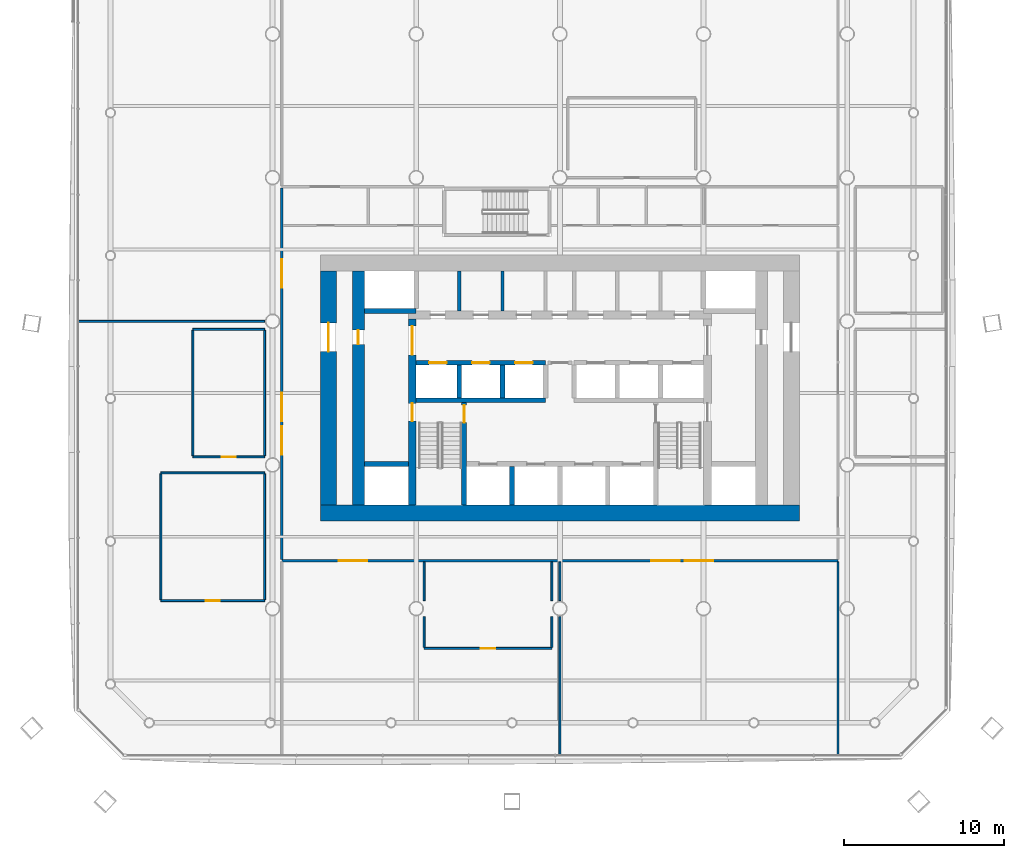
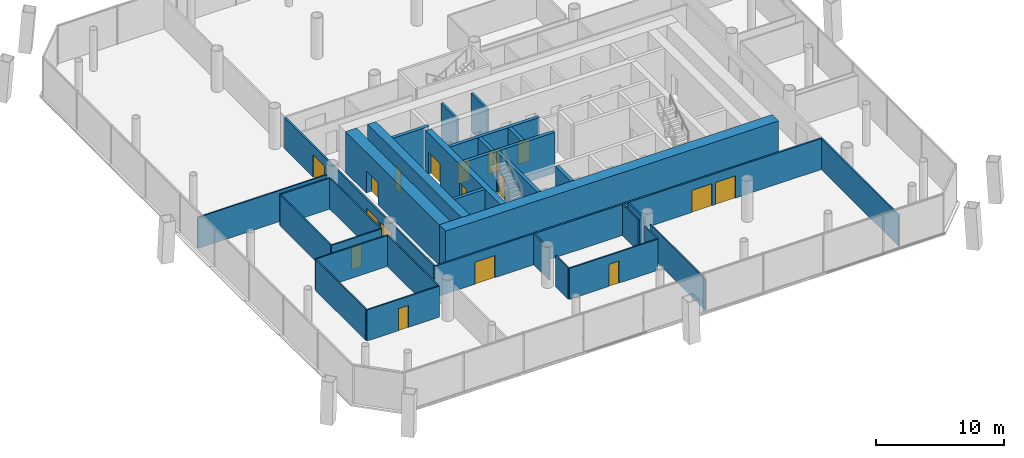
# One storey, part 14 of 22: 33 walls, 17 doors, 17 openings.
"""IFC4 building model written with IfcOpenShell, lengths in metres."""

from ifc_helpers import new_model, si_unit, direction, frame, frame_2d, origin, place, context, subcontext, project, spatial, rectangle, extrude, material, layer, layer_set, type_object, element, fill, save


model = new_model("IFC4")

# Units and contexts
model_context = context("Model", 3, precision=1e-05, world=origin(), true_north=direction((0.0, 1.0)))
body_context = subcontext(model_context, "Body", "Model", "MODEL_VIEW")
ifc_project = project(units=[si_unit("LENGTHUNIT", "METRE"), si_unit("AREAUNIT", "SQUARE_METRE"), si_unit("VOLUMEUNIT", "CUBIC_METRE"), si_unit("PLANEANGLEUNIT", "RADIAN"), si_unit("MASSUNIT", "GRAM", prefix="KILO")], contexts=[model_context])

# Site, building, storey
site_placement = place(None, origin())
site = spatial("IfcSite", under=ifc_project, at=site_placement, CompositionType="ELEMENT")
building_placement = place(site_placement, origin())
building = spatial("IfcBuilding", under=site, at=building_placement, Name="Tskaro Facet Tower", CompositionType="ELEMENT")
storey_placement = place(building_placement, frame((0.0, 0.0, 26.39990234375)))
storey = spatial("IfcBuildingStorey", under=building, at=storey_placement, Name="L05", CompositionType="ELEMENT", Elevation=26.39990234375)

# Walls
ifc_material_1 = material(Name="Concrete C60/75", Category="concrete")
ifc_layer_1 = layer(ifc_material_1, 0.300048828125, Name="Concrete C60/75")
ifc_layer_set_1 = layer_set([ifc_layer_1], Name="Concrete C60/75")
wall_type_1 = type_object("IfcWallType", Name="CORE-SHAFT", PredefinedType="SHEAR", material=ifc_layer_set_1)
wall_1_placement = place(storey_placement, frame((-12.25, -8.949951171875, 0.0), z_axis=(0.0, 0.0, 1.0), x_axis=(1.0, 0.0, 0.0)))
element("IfcWall", 1, at=wall_1_placement, inside=storey, type_object=wall_type_1, Name="Shaft wall W006", PredefinedType="SHEAR", context=body_context, shape_type="SweptSolid", body=[
    extrude(rectangle(XDim=2.75, YDim=0.300048828125, at=frame_2d((1.375, 0.0))), origin(), (0.0, 0.0, 1.0), 3.900146484375),
])
wall_2_placement = place(storey_placement, frame((-9.0, -4.949951171875, 0.0), z_axis=(0.0, 0.0, 1.0), x_axis=(1.0, 0.0, 0.0)))
element("IfcWall", 2, at=wall_2_placement, inside=storey, type_object=wall_type_1, Name="Shaft wall W011", PredefinedType="SHEAR", context=body_context, shape_type="SweptSolid", body=[
    extrude(rectangle(XDim=8.10009765625, YDim=0.300048828125, at=frame_2d((4.050048828125, 0.0))), origin(), (0.0, 0.0, 1.0), 3.900146484375),
])

# Wall, openings, doors
wall_3_placement = place(storey_placement, frame((-9.0, -2.60009765625, 0.0), z_axis=(0.0, 0.0, 1.0), x_axis=(1.0, 0.0, 0.0)))
wall_3 = element("IfcWall", 3, at=wall_3_placement, inside=storey, type_object=wall_type_1, Name="Shaft wall W013", PredefinedType="SHEAR", context=body_context, shape_type="SweptSolid", body=[
    extrude(rectangle(XDim=8.10009765625, YDim=0.300048828125, at=frame_2d((4.050048828125, 0.0))), origin(), (0.0, 0.0, 1.0), 3.900146484375),
])
opening_1_placement = place(wall_3_placement, frame((0.800048828125, 0.0, 0.0)))
opening_1 = element("IfcOpeningElement", 4, at=opening_1_placement, cuts=wall_3, Name="Opening LD-LR1", PredefinedType="OPENING", context=body_context, shape_type="SweptSolid", body=[
    extrude(rectangle(XDim=1.10009765625, YDim=2.10009765625, at=frame_2d((0.550048828125, 1.050048828125))), frame((0.0, 0.159912109375, 0.0), z_axis=(0.0, -1.0, 0.0), x_axis=(1.0, 0.0, 0.0)), (0.0, 0.0, 1.0), 0.320068359375),
])
opening_2_placement = place(wall_3_placement, frame((3.5, 0.0, 0.0)))
opening_2 = element("IfcOpeningElement", 5, at=opening_2_placement, cuts=wall_3, Name="Opening LD-LR2", PredefinedType="OPENING", context=body_context, shape_type="SweptSolid", body=[
    extrude(rectangle(XDim=1.10009765625, YDim=2.10009765625, at=frame_2d((0.550048828125, 1.050048828125))), frame((0.0, 0.159912109375, 0.0), z_axis=(0.0, -1.0, 0.0), x_axis=(1.0, 0.0, 0.0)), (0.0, 0.0, 1.0), 0.320068359375),
])
opening_3_placement = place(wall_3_placement, frame((6.199951171875, 0.0, 0.0)))
opening_3 = element("IfcOpeningElement", 6, at=opening_3_placement, cuts=wall_3, Name="Opening LD-LR3", PredefinedType="OPENING", context=body_context, shape_type="SweptSolid", body=[
    extrude(rectangle(XDim=1.10009765625, YDim=2.10009765625, at=frame_2d((0.550048828125, 1.050048828125))), frame((0.0, 0.159912109375, 0.0), z_axis=(0.0, -1.0, 0.0), x_axis=(1.0, 0.0, 0.0)), (0.0, 0.0, 1.0), 0.320068359375),
])
ifc_material_2 = material(Name="Stainless steel", Category="steel")
door_type_1 = type_object("IfcDoorType", Name="D-LANDING", OperationType="NOTDEFINED", PredefinedType="DOOR", material=ifc_material_2)
door_1_placement = place(opening_1_placement, origin())
door_1 = element("IfcDoor", 7, at=door_1_placement, inside=storey, type_object=door_type_1, Name="Landing door LR1", OperationType="DOUBLE_DOOR_SLIDING", OverallHeight=2.10009765625, OverallWidth=1.10009765625, PredefinedType="DOOR", context=body_context, shape_type="SweptSolid", body=[
    extrude(rectangle(XDim=1.10009765625, YDim=2.10009765625, at=frame_2d((0.550048828125, 1.050048828125))), frame((0.0, 0.02490234375, 0.0), z_axis=(0.0, -1.0, 0.0), x_axis=(1.0, 0.0, 0.0)), (0.0, 0.0, 1.0), 0.050048828125),
])
fill(opening_1, door_1)
door_2_placement = place(opening_2_placement, origin())
door_2 = element("IfcDoor", 8, at=door_2_placement, inside=storey, type_object=door_type_1, Name="Landing door LR2", OperationType="DOUBLE_DOOR_SLIDING", OverallHeight=2.10009765625, OverallWidth=1.10009765625, PredefinedType="DOOR", context=body_context, shape_type="SweptSolid", body=[
    extrude(rectangle(XDim=1.10009765625, YDim=2.10009765625, at=frame_2d((0.550048828125, 1.050048828125))), frame((0.0, 0.02490234375, 0.0), z_axis=(0.0, -1.0, 0.0), x_axis=(1.0, 0.0, 0.0)), (0.0, 0.0, 1.0), 0.050048828125),
])
fill(opening_2, door_2)
door_3_placement = place(opening_3_placement, origin())
door_3 = element("IfcDoor", 9, at=door_3_placement, inside=storey, type_object=door_type_1, Name="Landing door LR3", OperationType="DOUBLE_DOOR_SLIDING", OverallHeight=2.10009765625, OverallWidth=1.10009765625, PredefinedType="DOOR", context=body_context, shape_type="SweptSolid", body=[
    extrude(rectangle(XDim=1.10009765625, YDim=2.10009765625, at=frame_2d((0.550048828125, 1.050048828125))), frame((0.0, 0.02490234375, 0.0), z_axis=(0.0, -1.0, 0.0), x_axis=(1.0, 0.0, 0.0)), (0.0, 0.0, 1.0), 0.050048828125),
])
fill(opening_3, door_3)

# Walls
wall_4_placement = place(storey_placement, frame((-9.0, 0.64990234375, 0.0), z_axis=(0.0, 0.0, 1.0), x_axis=(-1.0, 0.0, 0.0)))
element("IfcWall", 10, at=wall_4_placement, inside=storey, type_object=wall_type_1, Name="Shaft wall W020", PredefinedType="SHEAR", context=body_context, shape_type="SweptSolid", body=[
    extrude(rectangle(XDim=3.25, YDim=0.300048828125, at=frame_2d((1.625, 0.0))), origin(), (0.0, 0.0, 1.0), 3.900146484375),
])
wall_5_placement = place(storey_placement, frame((-6.300048828125, -4.800048828125, 0.0), z_axis=(0.0, 0.0, 1.0), x_axis=(0.0, 1.0, 0.0)))
element("IfcWall", 11, at=wall_5_placement, inside=storey, type_object=wall_type_1, Name="Shaft wall W044", PredefinedType="SHEAR", context=body_context, shape_type="SweptSolid", body=[
    extrude(rectangle(XDim=2.050048828125, YDim=0.300048828125, at=frame_2d((1.02490234375, 0.0))), origin(), (0.0, 0.0, 1.0), 3.900146484375),
])

# Wall, opening, door
wall_6_placement = place(storey_placement, frame((-6.0, -11.5, 0.0), z_axis=(0.0, 0.0, 1.0), x_axis=(0.0, 1.0, 0.0)))
wall_6 = element("IfcWall", 12, at=wall_6_placement, inside=storey, type_object=wall_type_1, Name="Shaft wall W046", PredefinedType="SHEAR", context=body_context, shape_type="SweptSolid", body=[
    extrude(rectangle(XDim=6.39990234375, YDim=0.300048828125, at=frame_2d((3.199951171875, 0.0))), origin(), (0.0, 0.0, 1.0), 3.900146484375),
])
opening_4_placement = place(wall_6_placement, frame((5.14990234375, 0.0, 0.0)))
opening_4 = element("IfcOpeningElement", 13, at=opening_4_placement, cuts=wall_6, Name="Opening ST-1-D1", PredefinedType="OPENING", context=body_context, shape_type="SweptSolid", body=[
    extrude(rectangle(XDim=1.10009765625, YDim=2.10009765625, at=frame_2d((0.550048828125, 1.050048828125))), frame((0.0, 0.159912109375, 0.0), z_axis=(0.0, -1.0, 0.0), x_axis=(1.0, 0.0, 0.0)), (0.0, 0.0, 1.0), 0.320068359375),
])
ifc_material_3 = material(Name="Steel", Category="steel")
door_type_2 = type_object("IfcDoorType", Name="D-STAIR", OperationType="NOTDEFINED", PredefinedType="DOOR", material=ifc_material_3)
door_4_placement = place(opening_4_placement, origin())
door_4 = element("IfcDoor", 14, at=door_4_placement, inside=storey, type_object=door_type_2, Name="Stair door 1", OperationType="SINGLE_SWING_LEFT", OverallHeight=2.10009765625, OverallWidth=1.10009765625, PredefinedType="DOOR", context=body_context, shape_type="SweptSolid", body=[
    extrude(rectangle(XDim=1.10009765625, YDim=2.10009765625, at=frame_2d((0.550048828125, 1.050048828125))), frame((0.0, 0.02490234375, 0.0), z_axis=(0.0, -1.0, 0.0), x_axis=(1.0, 0.0, 0.0)), (0.0, 0.0, 1.0), 0.050048828125),
])
fill(opening_4, door_4)

# Walls
wall_7_placement = place(storey_placement, frame((-3.60009765625, -4.800048828125, 0.0), z_axis=(0.0, 0.0, 1.0), x_axis=(0.0, 1.0, 0.0)))
element("IfcWall", 15, at=wall_7_placement, inside=storey, type_object=wall_type_1, Name="Shaft wall W047", PredefinedType="SHEAR", context=body_context, shape_type="SweptSolid", body=[
    extrude(rectangle(XDim=2.050048828125, YDim=0.300048828125, at=frame_2d((1.02490234375, 0.0))), origin(), (0.0, 0.0, 1.0), 3.900146484375),
])
wall_8_placement = place(storey_placement, frame((-3.0, -11.5, 0.0), z_axis=(0.0, 0.0, 1.0), x_axis=(0.0, 1.0, 0.0)))
element("IfcWall", 16, at=wall_8_placement, inside=storey, type_object=wall_type_1, Name="Shaft wall W049", PredefinedType="SHEAR", context=body_context, shape_type="SweptSolid", body=[
    extrude(rectangle(XDim=2.39990234375, YDim=0.300048828125, at=frame_2d((1.199951171875, 0.0))), origin(), (0.0, 0.0, 1.0), 3.900146484375),
])
ifc_material_4 = material(Name="Concrete C20/25", Category="concrete")
ifc_layer_2 = layer(ifc_material_4, 0.199951171875, Name="Concrete C20/25")
ifc_layer_set_2 = layer_set([ifc_layer_2], Name="Concrete C20/25")
wall_type_2 = type_object("IfcWallType", Name="CORE-WALL", PredefinedType="SOLIDWALL", material=ifc_layer_set_2)
for number, where, z_axis, x_axis, name in (
    (17, (-6.300048828125, 0.64990234375, 0.0), (0.0, 0.0, 1.0), (0.0, 1.0, 0.0), "Core room wall W045"),
    (18, (-3.60009765625, 0.64990234375, 0.0), (0.0, 0.0, 1.0), (0.0, 1.0, 0.0), "Core room wall W048"),
):
    element("IfcWall", number, at=place(storey_placement, frame(where, z_axis=z_axis, x_axis=x_axis)), inside=storey, type_object=wall_type_2, Name=name, PredefinedType="SOLIDWALL", context=body_context, shape_type="SweptSolid", body=[
        extrude(rectangle(XDim=2.5, YDim=0.199951171875, at=frame_2d((1.25, 0.0))), origin(), (0.0, 0.0, 1.0), 3.60009765625),
    ])
ifc_layer_3 = layer(ifc_material_1, 1.0, Name="Concrete C60/75")
ifc_layer_set_3 = layer_set([ifc_layer_3], Name="Concrete C60/75")
wall_type_3 = type_object("IfcWallType", Name="Core wall 1000", PredefinedType="SHEAR", material=ifc_layer_set_3)
wall_9_placement = place(storey_placement, frame((-15.0, -12.0, 0.0), z_axis=(0.0, 0.0, 1.0), x_axis=(1.0, 0.0, 0.0)))
element("IfcWall", 19, at=wall_9_placement, inside=storey, type_object=wall_type_3, Name="Core wall CW-Z1S", PredefinedType="SHEAR", context=body_context, shape_type="SweptSolid", body=[
    extrude(rectangle(XDim=30.0, YDim=1.0, at=frame_2d((15.0, 0.0))), origin(), (0.0, 0.0, 1.0), 3.900146484375),
])

# Wall, opening, door
wall_10_placement = place(storey_placement, frame((-14.5, -11.5, 0.0), z_axis=(0.0, 0.0, 1.0), x_axis=(0.0, 1.0, 0.0)))
wall_10 = element("IfcWall", 20, at=wall_10_placement, inside=storey, type_object=wall_type_3, Name="Core wall CW-Z1W", PredefinedType="SHEAR", context=body_context, shape_type="SweptSolid", body=[
    extrude(rectangle(XDim=14.64990234375, YDim=1.0, at=frame_2d((7.324951171875, 0.0))), origin(), (0.0, 0.0, 1.0), 3.900146484375),
])
opening_5_placement = place(wall_10_placement, frame((9.60009765625, 0.0, 0.0)))
opening_5 = element("IfcOpeningElement", 21, at=opening_5_placement, cuts=wall_10, Name="Opening T1-D17", PredefinedType="OPENING", context=body_context, shape_type="SweptSolid", body=[
    extrude(rectangle(XDim=1.800048828125, YDim=2.10009765625, at=frame_2d((0.89990234375, 1.050048828125))), frame((0.0, 0.510009765625, 0.0), z_axis=(0.0, -1.0, 0.0), x_axis=(1.0, 0.0, 0.0)), (0.0, 0.0, 1.0), 1.02001953125),
])
door_type_3 = type_object("IfcDoorType", Name="D-CORE-PAIR", OperationType="NOTDEFINED", PredefinedType="DOOR", material=ifc_material_3)
door_5_placement = place(opening_5_placement, origin())
door_5 = element("IfcDoor", 22, at=door_5_placement, inside=storey, type_object=door_type_3, Name="Door T1-D17", OperationType="DOUBLE_DOOR_SINGLE_SWING", OverallHeight=2.10009765625, OverallWidth=1.800048828125, PredefinedType="DOOR", context=body_context, shape_type="SweptSolid", body=[
    extrude(rectangle(XDim=1.800048828125, YDim=2.10009765625, at=frame_2d((0.89990234375, 1.050048828125))), frame((0.0, 0.02490234375, 0.0), z_axis=(0.0, -1.0, 0.0), x_axis=(1.0, 0.0, 0.0)), (0.0, 0.0, 1.0), 0.050048828125),
])
fill(opening_5, door_5)

# Wall, openings, doors
ifc_material_5 = material(Name="Concrete C40/50", Category="concrete")
ifc_layer_4 = layer(ifc_material_5, 0.5, Name="Concrete C40/50")
ifc_layer_set_4 = layer_set([ifc_layer_4], Name="Concrete C40/50")
wall_type_4 = type_object("IfcWallType", Name="Core wall 500", PredefinedType="SHEAR", material=ifc_layer_set_4)
wall_11_placement = place(storey_placement, frame((-9.25, -11.5, 0.0), z_axis=(0.0, 0.0, 1.0), x_axis=(0.0, 1.0, 0.0)))
wall_11 = element("IfcWall", 23, at=wall_11_placement, inside=storey, type_object=wall_type_4, Name="Core wall CW-Z3W", PredefinedType="SHEAR", context=body_context, shape_type="SweptSolid", body=[
    extrude(rectangle(XDim=11.64990234375, YDim=0.5, at=frame_2d((5.824951171875, 0.0))), origin(), (0.0, 0.0, 1.0), 3.900146484375),
])
opening_6_placement = place(wall_11_placement, frame((9.39990234375, 0.0, 0.0)))
opening_6 = element("IfcOpeningElement", 24, at=opening_6_placement, cuts=wall_11, Name="Opening T1-D15", PredefinedType="OPENING", context=body_context, shape_type="SweptSolid", body=[
    extrude(rectangle(XDim=1.800048828125, YDim=2.10009765625, at=frame_2d((0.89990234375, 1.050048828125))), frame((0.0, 0.260009765625, 0.0), z_axis=(0.0, -1.0, 0.0), x_axis=(1.0, 0.0, 0.0)), (0.0, 0.0, 1.0), 0.52001953125),
])
opening_7_placement = place(wall_11_placement, frame((5.25, 0.0, 0.0)))
opening_7 = element("IfcOpeningElement", 25, at=opening_7_placement, cuts=wall_11, Name="Opening ST-1-D2", PredefinedType="OPENING", context=body_context, shape_type="SweptSolid", body=[
    extrude(rectangle(XDim=1.10009765625, YDim=2.10009765625, at=frame_2d((0.550048828125, 1.050048828125))), frame((0.0, 0.260009765625, 0.0), z_axis=(0.0, -1.0, 0.0), x_axis=(1.0, 0.0, 0.0)), (0.0, 0.0, 1.0), 0.52001953125),
])
door_6_placement = place(opening_6_placement, origin())
door_6 = element("IfcDoor", 26, at=door_6_placement, inside=storey, type_object=door_type_3, Name="Door T1-D15", OperationType="DOUBLE_DOOR_SINGLE_SWING", OverallHeight=2.10009765625, OverallWidth=1.800048828125, PredefinedType="DOOR", context=body_context, shape_type="SweptSolid", body=[
    extrude(rectangle(XDim=1.800048828125, YDim=2.10009765625, at=frame_2d((0.89990234375, 1.050048828125))), frame((0.0, 0.02490234375, 0.0), z_axis=(0.0, -1.0, 0.0), x_axis=(1.0, 0.0, 0.0)), (0.0, 0.0, 1.0), 0.050048828125),
])
fill(opening_6, door_6)
door_7_placement = place(opening_7_placement, origin())
door_7 = element("IfcDoor", 27, at=door_7_placement, inside=storey, type_object=door_type_2, Name="Stair door 1 west", OperationType="SINGLE_SWING_LEFT", OverallHeight=2.10009765625, OverallWidth=1.10009765625, PredefinedType="DOOR", context=body_context, shape_type="SweptSolid", body=[
    extrude(rectangle(XDim=1.10009765625, YDim=2.10009765625, at=frame_2d((0.550048828125, 1.050048828125))), frame((0.0, 0.02490234375, 0.0), z_axis=(0.0, -1.0, 0.0), x_axis=(1.0, 0.0, 0.0)), (0.0, 0.0, 1.0), 0.050048828125),
])
fill(opening_7, door_7)

# Wall, opening, door
ifc_material_6 = material(Name="Concrete C50/60", Category="concrete")
ifc_layer_5 = layer(ifc_material_6, 0.75, Name="Concrete C50/60")
ifc_layer_set_5 = layer_set([ifc_layer_5], Name="Concrete C50/60")
wall_type_5 = type_object("IfcWallType", Name="Core wall 750", PredefinedType="SHEAR", material=ifc_layer_set_5)
wall_12_placement = place(storey_placement, frame((-12.625, -11.5, 0.0), z_axis=(0.0, 0.0, 1.0), x_axis=(0.0, 1.0, 0.0)))
wall_12 = element("IfcWall", 28, at=wall_12_placement, inside=storey, type_object=wall_type_5, Name="Core wall CW-Z2W", PredefinedType="SHEAR", context=body_context, shape_type="SweptSolid", body=[
    extrude(rectangle(XDim=14.64990234375, YDim=0.75, at=frame_2d((7.324951171875, 0.0))), origin(), (0.0, 0.0, 1.0), 3.900146484375),
])
opening_8_placement = place(wall_12_placement, frame((10.050048828125, 0.0, 0.0)))
opening_8 = element("IfcOpeningElement", 29, at=opening_8_placement, cuts=wall_12, Name="Opening T1-D18", PredefinedType="OPENING", context=body_context, shape_type="SweptSolid", body=[
    extrude(rectangle(XDim=0.89990234375, YDim=2.10009765625, at=frame_2d((0.449951171875, 1.050048828125))), frame((0.0, 0.385009765625, 0.0), z_axis=(0.0, -1.0, 0.0), x_axis=(1.0, 0.0, 0.0)), (0.0, 0.0, 1.0), 0.77001953125),
])
ifc_material_7 = material(Name="Timber", Category="wood")
door_type_4 = type_object("IfcDoorType", Name="D-ROOM", OperationType="NOTDEFINED", PredefinedType="DOOR", material=ifc_material_7)
door_8_placement = place(opening_8_placement, origin())
door_8 = element("IfcDoor", 30, at=door_8_placement, inside=storey, type_object=door_type_4, Name="Door T1-D18", OperationType="SINGLE_SWING_LEFT", OverallHeight=2.10009765625, OverallWidth=0.89990234375, PredefinedType="DOOR", context=body_context, shape_type="SweptSolid", body=[
    extrude(rectangle(XDim=0.89990234375, YDim=2.10009765625, at=frame_2d((0.449951171875, 1.050048828125))), frame((0.0, 0.02490234375, 0.0), z_axis=(0.0, -1.0, 0.0), x_axis=(1.0, 0.0, 0.0)), (0.0, 0.0, 1.0), 0.050048828125),
])
fill(opening_8, door_8)

ifc_material_8 = material(Name="Gypsum board on steel studs", Category="steel")
ifc_layer_6 = layer(ifc_material_8, 0.125, Name="Gypsum board on steel studs")
ifc_layer_set_6 = layer_set([ifc_layer_6], Name="Gypsum board on steel studs")
wall_type_6 = type_object("IfcWallType", Name="PART", PredefinedType="PARTITIONING", material=ifc_layer_set_6)
wall_13_placement = place(storey_placement, frame((-8.5, -20.5, 0.0), z_axis=(0.0, 0.0, 1.0), x_axis=(1.0, 0.0, 0.0)))
wall_13 = element("IfcWall", 31, at=wall_13_placement, inside=storey, type_object=wall_type_6, Name="Partition W001", PredefinedType="PARTITIONING", context=body_context, shape_type="SweptSolid", body=[
    extrude(rectangle(XDim=8.0, YDim=0.125, at=frame_2d((4.0, 0.0))), origin(), (0.0, 0.0, 1.0), 2.960205078125),
])
opening_9_placement = place(wall_13_placement, frame((3.550048828125, 0.0, 0.0)))
opening_9 = element("IfcOpeningElement", 32, at=opening_9_placement, cuts=wall_13, Name="Opening T1-D01", PredefinedType="OPENING", context=body_context, shape_type="SweptSolid", body=[
    extrude(rectangle(XDim=0.89990234375, YDim=2.10009765625, at=frame_2d((0.449951171875, 1.050048828125))), frame((0.0, 0.072509765625, 0.0), z_axis=(0.0, -1.0, 0.0), x_axis=(1.0, 0.0, 0.0)), (0.0, 0.0, 1.0), 0.14501953125),
])
door_9_placement = place(opening_9_placement, origin())
door_9 = element("IfcDoor", 33, at=door_9_placement, inside=storey, type_object=door_type_4, Name="Door T1-D01", OperationType="SINGLE_SWING_LEFT", OverallHeight=2.10009765625, OverallWidth=0.89990234375, PredefinedType="DOOR", context=body_context, shape_type="SweptSolid", body=[
    extrude(rectangle(XDim=0.89990234375, YDim=2.10009765625, at=frame_2d((0.449951171875, 1.050048828125))), frame((0.0, 0.02490234375, 0.0), z_axis=(0.0, -1.0, 0.0), x_axis=(1.0, 0.0, 0.0)), (0.0, 0.0, 1.0), 0.050048828125),
])
fill(opening_9, door_9)

wall_14_placement = place(storey_placement, frame((-25.0, -17.5, 0.0), z_axis=(0.0, 0.0, 1.0), x_axis=(1.0, 0.0, 0.0)))
wall_14 = element("IfcWall", 34, at=wall_14_placement, inside=storey, type_object=wall_type_6, Name="Partition W002", PredefinedType="PARTITIONING", context=body_context, shape_type="SweptSolid", body=[
    extrude(rectangle(XDim=6.5, YDim=0.125, at=frame_2d((3.25, 0.0))), origin(), (0.0, 0.0, 1.0), 2.960205078125),
])
opening_10_placement = place(wall_14_placement, frame((2.800048828125, 0.0, 0.0)))
opening_10 = element("IfcOpeningElement", 35, at=opening_10_placement, cuts=wall_14, Name="Opening T1-D02", PredefinedType="OPENING", context=body_context, shape_type="SweptSolid", body=[
    extrude(rectangle(XDim=0.89990234375, YDim=2.10009765625, at=frame_2d((0.449951171875, 1.050048828125))), frame((0.0, 0.072509765625, 0.0), z_axis=(0.0, -1.0, 0.0), x_axis=(1.0, 0.0, 0.0)), (0.0, 0.0, 1.0), 0.14501953125),
])
door_10_placement = place(opening_10_placement, origin())
door_10 = element("IfcDoor", 36, at=door_10_placement, inside=storey, type_object=door_type_4, Name="Door T1-D02", OperationType="SINGLE_SWING_LEFT", OverallHeight=2.10009765625, OverallWidth=0.89990234375, PredefinedType="DOOR", context=body_context, shape_type="SweptSolid", body=[
    extrude(rectangle(XDim=0.89990234375, YDim=2.10009765625, at=frame_2d((0.449951171875, 1.050048828125))), frame((0.0, 0.02490234375, 0.0), z_axis=(0.0, -1.0, 0.0), x_axis=(1.0, 0.0, 0.0)), (0.0, 0.0, 1.0), 0.050048828125),
])
fill(opening_10, door_10)

# Wall
wall_15_placement = place(storey_placement, frame((-25.0, -9.5, 0.0), z_axis=(0.0, 0.0, 1.0), x_axis=(1.0, 0.0, 0.0)))
element("IfcWall", 37, at=wall_15_placement, inside=storey, type_object=wall_type_6, Name="Partition W004", PredefinedType="PARTITIONING", context=body_context, shape_type="SweptSolid", body=[
    extrude(rectangle(XDim=6.5, YDim=0.125, at=frame_2d((3.25, 0.0))), origin(), (0.0, 0.0, 1.0), 2.960205078125),
])

# Wall, opening, door
wall_16_placement = place(storey_placement, frame((-23.0, -8.5, 0.0), z_axis=(0.0, 0.0, 1.0), x_axis=(1.0, 0.0, 0.0)))
wall_16 = element("IfcWall", 38, at=wall_16_placement, inside=storey, type_object=wall_type_6, Name="Partition W009", PredefinedType="PARTITIONING", context=body_context, shape_type="SweptSolid", body=[
    extrude(rectangle(XDim=4.5, YDim=0.125, at=frame_2d((2.25, 0.0))), origin(), (0.0, 0.0, 1.0), 2.960205078125),
])
opening_11_placement = place(wall_16_placement, frame((1.800048828125, 0.0, 0.0)))
opening_11 = element("IfcOpeningElement", 39, at=opening_11_placement, cuts=wall_16, Name="Opening T1-D09", PredefinedType="OPENING", context=body_context, shape_type="SweptSolid", body=[
    extrude(rectangle(XDim=0.89990234375, YDim=2.10009765625, at=frame_2d((0.449951171875, 1.050048828125))), frame((0.0, 0.072509765625, 0.0), z_axis=(0.0, -1.0, 0.0), x_axis=(1.0, 0.0, 0.0)), (0.0, 0.0, 1.0), 0.14501953125),
])
door_11_placement = place(opening_11_placement, origin())
door_11 = element("IfcDoor", 40, at=door_11_placement, inside=storey, type_object=door_type_4, Name="Door T1-D09", OperationType="SINGLE_SWING_LEFT", OverallHeight=2.10009765625, OverallWidth=0.89990234375, PredefinedType="DOOR", context=body_context, shape_type="SweptSolid", body=[
    extrude(rectangle(XDim=0.89990234375, YDim=2.10009765625, at=frame_2d((0.449951171875, 1.050048828125))), frame((0.0, 0.02490234375, 0.0), z_axis=(0.0, -1.0, 0.0), x_axis=(1.0, 0.0, 0.0)), (0.0, 0.0, 1.0), 0.050048828125),
])
fill(opening_11, door_11)

# Walls
wall_17_placement = place(storey_placement, frame((-23.0, -0.5, 0.0), z_axis=(0.0, 0.0, 1.0), x_axis=(1.0, 0.0, 0.0)))
element("IfcWall", 41, at=wall_17_placement, inside=storey, type_object=wall_type_6, Name="Partition W016", PredefinedType="PARTITIONING", context=body_context, shape_type="SweptSolid", body=[
    extrude(rectangle(XDim=4.5, YDim=0.125, at=frame_2d((2.25, 0.0))), origin(), (0.0, 0.0, 1.0), 2.960205078125),
])
wall_18_placement = place(storey_placement, frame((-30.152099609375, 0.0, 0.0), z_axis=(0.0, 0.0, 1.0), x_axis=(1.0, 0.0, 0.0)))
element("IfcWall", 42, at=wall_18_placement, inside=storey, type_object=wall_type_6, Name="Partition W018", PredefinedType="PARTITIONING", context=body_context, shape_type="SweptSolid", body=[
    extrude(rectangle(XDim=11.652099609375, YDim=0.125, at=frame_2d((5.826171875, 0.0))), origin(), (0.0, 0.0, 1.0), 2.960205078125),
])
for number, where, z_axis, x_axis, name in (
    (43, (-25.0, -17.4375, 0.0), (0.0, 0.0, 1.0), (0.0, 1.0, 0.0), "Partition W032"),
    (44, (-23.0, -8.4375, 0.0), (0.0, 0.0, 1.0), (0.0, 1.0, 0.0), "Partition W033"),
    (45, (-18.5, -17.4375, 0.0), (0.0, 0.0, 1.0), (0.0, 1.0, 0.0), "Partition W034"),
    (46, (-18.5, -8.4375, 0.0), (0.0, 0.0, 1.0), (0.0, 1.0, 0.0), "Partition W035"),
):
    element("IfcWall", number, at=place(storey_placement, frame(where, z_axis=z_axis, x_axis=x_axis)), inside=storey, type_object=wall_type_6, Name=name, PredefinedType="PARTITIONING", context=body_context, shape_type="SweptSolid", body=[
        extrude(rectangle(XDim=7.875, YDim=0.125, at=frame_2d((3.9375, 0.0))), origin(), (0.0, 0.0, 1.0), 2.960205078125),
    ])
wall_19_placement = place(storey_placement, frame((-8.5, -20.4375, 0.0), z_axis=(0.0, 0.0, 1.0), x_axis=(0.0, 1.0, 0.0)))
element("IfcWall", 47, at=wall_19_placement, inside=storey, type_object=wall_type_6, Name="Partition W041", PredefinedType="PARTITIONING", context=body_context, shape_type="SweptSolid", body=[
    extrude(rectangle(XDim=1.9375, YDim=0.125, at=frame_2d((0.96875, 0.0))), origin(), (0.0, 0.0, 1.0), 2.960205078125),
])
wall_20_placement = place(storey_placement, frame((-8.5, -17.5, 0.0), z_axis=(0.0, 0.0, 1.0), x_axis=(0.0, 1.0, 0.0)))
element("IfcWall", 48, at=wall_20_placement, inside=storey, type_object=wall_type_6, Name="Partition W042", PredefinedType="PARTITIONING", context=body_context, shape_type="SweptSolid", body=[
    extrude(rectangle(XDim=2.425048828125, YDim=0.125, at=frame_2d((1.21240234375, 0.0))), origin(), (0.0, 0.0, 1.0), 2.960205078125),
])
wall_21_placement = place(storey_placement, frame((-0.5, -20.4375, 0.0), z_axis=(0.0, 0.0, 1.0), x_axis=(0.0, 1.0, 0.0)))
element("IfcWall", 49, at=wall_21_placement, inside=storey, type_object=wall_type_6, Name="Partition W053", PredefinedType="PARTITIONING", context=body_context, shape_type="SweptSolid", body=[
    extrude(rectangle(XDim=1.9375, YDim=0.125, at=frame_2d((0.96875, 0.0))), origin(), (0.0, 0.0, 1.0), 2.960205078125),
])
wall_22_placement = place(storey_placement, frame((-0.5, -17.5, 0.0), z_axis=(0.0, 0.0, 1.0), x_axis=(0.0, 1.0, 0.0)))
element("IfcWall", 50, at=wall_22_placement, inside=storey, type_object=wall_type_6, Name="Partition W054", PredefinedType="PARTITIONING", context=body_context, shape_type="SweptSolid", body=[
    extrude(rectangle(XDim=2.425048828125, YDim=0.125, at=frame_2d((1.21240234375, 0.0))), origin(), (0.0, 0.0, 1.0), 2.960205078125),
])
wall_23_placement = place(storey_placement, frame((0.0, -27.152099609375, 0.0), z_axis=(0.0, 0.0, 1.0), x_axis=(0.0, 1.0, 0.0)))
element("IfcWall", 51, at=wall_23_placement, inside=storey, type_object=wall_type_6, Name="Partition W055", PredefinedType="PARTITIONING", context=body_context, shape_type="SweptSolid", body=[
    extrude(rectangle(XDim=8.652099609375, YDim=0.125, at=frame_2d((4.326171875, 0.0))), origin(), (0.0, 0.0, 1.0), 2.960205078125),
])
wall_24_placement = place(storey_placement, frame((0.0, -17.5, 0.0), z_axis=(0.0, 0.0, 1.0), x_axis=(0.0, 1.0, 0.0)))
element("IfcWall", 52, at=wall_24_placement, inside=storey, type_object=wall_type_6, Name="Partition W056", PredefinedType="PARTITIONING", context=body_context, shape_type="SweptSolid", body=[
    extrude(rectangle(XDim=2.425048828125, YDim=0.125, at=frame_2d((1.21240234375, 0.0))), origin(), (0.0, 0.0, 1.0), 2.960205078125),
])
wall_25_placement = place(storey_placement, frame((17.425048828125, -27.152099609375, 0.0), z_axis=(0.0, 0.0, 1.0), x_axis=(0.0, 1.0, 0.0)))
element("IfcWall", 53, at=wall_25_placement, inside=storey, type_object=wall_type_6, Name="Partition W072", PredefinedType="PARTITIONING", context=body_context, shape_type="SweptSolid", body=[
    extrude(rectangle(XDim=12.0771484375, YDim=0.125, at=frame_2d((6.03857421875, 0.0))), origin(), (0.0, 0.0, 1.0), 2.960205078125),
])

# Wall, openings, doors
ifc_layer_7 = layer(ifc_material_8, 0.14990234375, Name="Gypsum board on steel studs")
ifc_layer_set_7 = layer_set([ifc_layer_7], Name="Gypsum board on steel studs")
wall_type_7 = type_object("IfcWallType", Name="PART-CORR", PredefinedType="PARTITIONING", material=ifc_layer_set_7)
wall_26_placement = place(storey_placement, frame((-17.425048828125, -15.0, 0.0), z_axis=(0.0, 0.0, 1.0), x_axis=(1.0, 0.0, 0.0)))
wall_26 = element("IfcWall", 54, at=wall_26_placement, inside=storey, type_object=wall_type_7, Name="Corridor wall W003", PredefinedType="PARTITIONING", context=body_context, shape_type="SweptSolid", body=[
    extrude(rectangle(XDim=34.85009765625, YDim=0.14990234375, at=frame_2d((17.425048828125, 0.0))), origin(), (0.0, 0.0, 1.0), 2.960205078125),
])
opening_12_placement = place(wall_26_placement, frame((3.5625, 0.0, 0.0)))
opening_12 = element("IfcOpeningElement", 55, at=opening_12_placement, cuts=wall_26, Name="Opening T1-D03", PredefinedType="OPENING", context=body_context, shape_type="SweptSolid", body=[
    extrude(rectangle(XDim=1.800048828125, YDim=2.10009765625, at=frame_2d((0.89990234375, 1.050048828125))), frame((0.0, 0.0849609375, 0.0), z_axis=(0.0, -1.0, 0.0), x_axis=(1.0, 0.0, 0.0)), (0.0, 0.0, 1.0), 0.169921875),
])
opening_13_placement = place(wall_26_placement, frame((25.237548828125, 0.0, 0.0)))
opening_13 = element("IfcOpeningElement", 56, at=opening_13_placement, cuts=wall_26, Name="Opening T1-D05", PredefinedType="OPENING", context=body_context, shape_type="SweptSolid", body=[
    extrude(rectangle(XDim=1.800048828125, YDim=2.10009765625, at=frame_2d((0.89990234375, 1.050048828125))), frame((0.0, 0.0849609375, 0.0), z_axis=(0.0, -1.0, 0.0), x_axis=(1.0, 0.0, 0.0)), (0.0, 0.0, 1.0), 0.169921875),
])
opening_14_placement = place(wall_26_placement, frame((23.137451171875, 0.0, 0.0)))
opening_14 = element("IfcOpeningElement", 57, at=opening_14_placement, cuts=wall_26, Name="Opening T1-D04", PredefinedType="OPENING", context=body_context, shape_type="SweptSolid", body=[
    extrude(rectangle(XDim=1.800048828125, YDim=2.10009765625, at=frame_2d((0.89990234375, 1.050048828125))), frame((0.0, 0.0849609375, 0.0), z_axis=(0.0, -1.0, 0.0), x_axis=(1.0, 0.0, 0.0)), (0.0, 0.0, 1.0), 0.169921875),
])
ifc_material_9 = material(Name="Glass", Category="glass")
door_type_5 = type_object("IfcDoorType", Name="D-ENTRY-PAIR", OperationType="NOTDEFINED", PredefinedType="DOOR", material=ifc_material_9)
door_12_placement = place(opening_12_placement, origin())
door_12 = element("IfcDoor", 58, at=door_12_placement, inside=storey, type_object=door_type_5, Name="Door T1-D03", OperationType="DOUBLE_DOOR_SINGLE_SWING", OverallHeight=2.10009765625, OverallWidth=1.800048828125, PredefinedType="DOOR", context=body_context, shape_type="SweptSolid", body=[
    extrude(rectangle(XDim=1.800048828125, YDim=2.10009765625, at=frame_2d((0.89990234375, 1.050048828125))), frame((0.0, 0.02490234375, 0.0), z_axis=(0.0, -1.0, 0.0), x_axis=(1.0, 0.0, 0.0)), (0.0, 0.0, 1.0), 0.050048828125),
])
fill(opening_12, door_12)
door_13_placement = place(opening_13_placement, origin())
door_13 = element("IfcDoor", 59, at=door_13_placement, inside=storey, type_object=door_type_5, Name="Door T1-D05", OperationType="DOUBLE_DOOR_SINGLE_SWING", OverallHeight=2.10009765625, OverallWidth=1.800048828125, PredefinedType="DOOR", context=body_context, shape_type="SweptSolid", body=[
    extrude(rectangle(XDim=1.800048828125, YDim=2.10009765625, at=frame_2d((0.89990234375, 1.050048828125))), frame((0.0, 0.02490234375, 0.0), z_axis=(0.0, -1.0, 0.0), x_axis=(1.0, 0.0, 0.0)), (0.0, 0.0, 1.0), 0.050048828125),
])
fill(opening_13, door_13)
door_14_placement = place(opening_14_placement, origin())
door_14 = element("IfcDoor", 60, at=door_14_placement, inside=storey, type_object=door_type_5, Name="Door T1-D04", OperationType="DOUBLE_DOOR_SINGLE_SWING", OverallHeight=2.10009765625, OverallWidth=1.800048828125, PredefinedType="DOOR", context=body_context, shape_type="SweptSolid", body=[
    extrude(rectangle(XDim=1.800048828125, YDim=2.10009765625, at=frame_2d((0.89990234375, 1.050048828125))), frame((0.0, 0.02490234375, 0.0), z_axis=(0.0, -1.0, 0.0), x_axis=(1.0, 0.0, 0.0)), (0.0, 0.0, 1.0), 0.050048828125),
])
fill(opening_14, door_14)

wall_27_placement = place(storey_placement, frame((-17.425048828125, 8.35009765625, 0.0), z_axis=(0.0, 0.0, 1.0), x_axis=(0.0, -1.0, 0.0)))
wall_27 = element("IfcWall", 61, at=wall_27_placement, inside=storey, type_object=wall_type_7, Name="Corridor wall W037", PredefinedType="PARTITIONING", context=body_context, shape_type="SweptSolid", body=[
    extrude(rectangle(XDim=23.275146484375, YDim=0.14990234375, at=frame_2d((11.6376953125, 0.0))), origin(), (0.0, 0.0, 1.0), 2.960205078125),
])
opening_15_placement = place(wall_27_placement, frame((14.91259765625, 0.0, 0.0)))
opening_15 = element("IfcOpeningElement", 62, at=opening_15_placement, cuts=wall_27, Name="Opening T1-D11", PredefinedType="OPENING", context=body_context, shape_type="SweptSolid", body=[
    extrude(rectangle(XDim=1.800048828125, YDim=2.10009765625, at=frame_2d((0.89990234375, 1.050048828125))), frame((0.0, 0.0849609375, 0.0), z_axis=(0.0, -1.0, 0.0), x_axis=(1.0, 0.0, 0.0)), (0.0, 0.0, 1.0), 0.169921875),
])
opening_16_placement = place(wall_27_placement, frame((12.8125, 0.0, 0.0)))
opening_16 = element("IfcOpeningElement", 63, at=opening_16_placement, cuts=wall_27, Name="Opening T1-D12", PredefinedType="OPENING", context=body_context, shape_type="SweptSolid", body=[
    extrude(rectangle(XDim=1.800048828125, YDim=2.10009765625, at=frame_2d((0.89990234375, 1.050048828125))), frame((0.0, 0.0849609375, 0.0), z_axis=(0.0, -1.0, 0.0), x_axis=(1.0, 0.0, 0.0)), (0.0, 0.0, 1.0), 0.169921875),
])
opening_17_placement = place(wall_27_placement, frame((4.449951171875, 0.0, 0.0)))
opening_17 = element("IfcOpeningElement", 64, at=opening_17_placement, cuts=wall_27, Name="Opening T1-D31", PredefinedType="OPENING", context=body_context, shape_type="SweptSolid", body=[
    extrude(rectangle(XDim=1.800048828125, YDim=2.10009765625, at=frame_2d((0.89990234375, 1.050048828125))), frame((0.0, 0.0849609375, 0.0), z_axis=(0.0, -1.0, 0.0), x_axis=(1.0, 0.0, 0.0)), (0.0, 0.0, 1.0), 0.169921875),
])
door_15_placement = place(opening_15_placement, origin())
door_15 = element("IfcDoor", 65, at=door_15_placement, inside=storey, type_object=door_type_5, Name="Door T1-D11", OperationType="DOUBLE_DOOR_SINGLE_SWING", OverallHeight=2.10009765625, OverallWidth=1.800048828125, PredefinedType="DOOR", context=body_context, shape_type="SweptSolid", body=[
    extrude(rectangle(XDim=1.800048828125, YDim=2.10009765625, at=frame_2d((0.89990234375, 1.050048828125))), frame((0.0, 0.02490234375, 0.0), z_axis=(0.0, -1.0, 0.0), x_axis=(1.0, 0.0, 0.0)), (0.0, 0.0, 1.0), 0.050048828125),
])
fill(opening_15, door_15)
door_16_placement = place(opening_16_placement, origin())
door_16 = element("IfcDoor", 66, at=door_16_placement, inside=storey, type_object=door_type_5, Name="Door T1-D12", OperationType="DOUBLE_DOOR_SINGLE_SWING", OverallHeight=2.10009765625, OverallWidth=1.800048828125, PredefinedType="DOOR", context=body_context, shape_type="SweptSolid", body=[
    extrude(rectangle(XDim=1.800048828125, YDim=2.10009765625, at=frame_2d((0.89990234375, 1.050048828125))), frame((0.0, 0.02490234375, 0.0), z_axis=(0.0, -1.0, 0.0), x_axis=(1.0, 0.0, 0.0)), (0.0, 0.0, 1.0), 0.050048828125),
])
fill(opening_16, door_16)
door_17_placement = place(opening_17_placement, origin())
door_17 = element("IfcDoor", 67, at=door_17_placement, inside=storey, type_object=door_type_5, Name="Door T1-D31", OperationType="DOUBLE_DOOR_SINGLE_SWING", OverallHeight=2.10009765625, OverallWidth=1.800048828125, PredefinedType="DOOR", context=body_context, shape_type="SweptSolid", body=[
    extrude(rectangle(XDim=1.800048828125, YDim=2.10009765625, at=frame_2d((0.89990234375, 1.050048828125))), frame((0.0, 0.02490234375, 0.0), z_axis=(0.0, -1.0, 0.0), x_axis=(1.0, 0.0, 0.0)), (0.0, 0.0, 1.0), 0.050048828125),
])
fill(opening_17, door_17)

save(model, "model.ifc")
